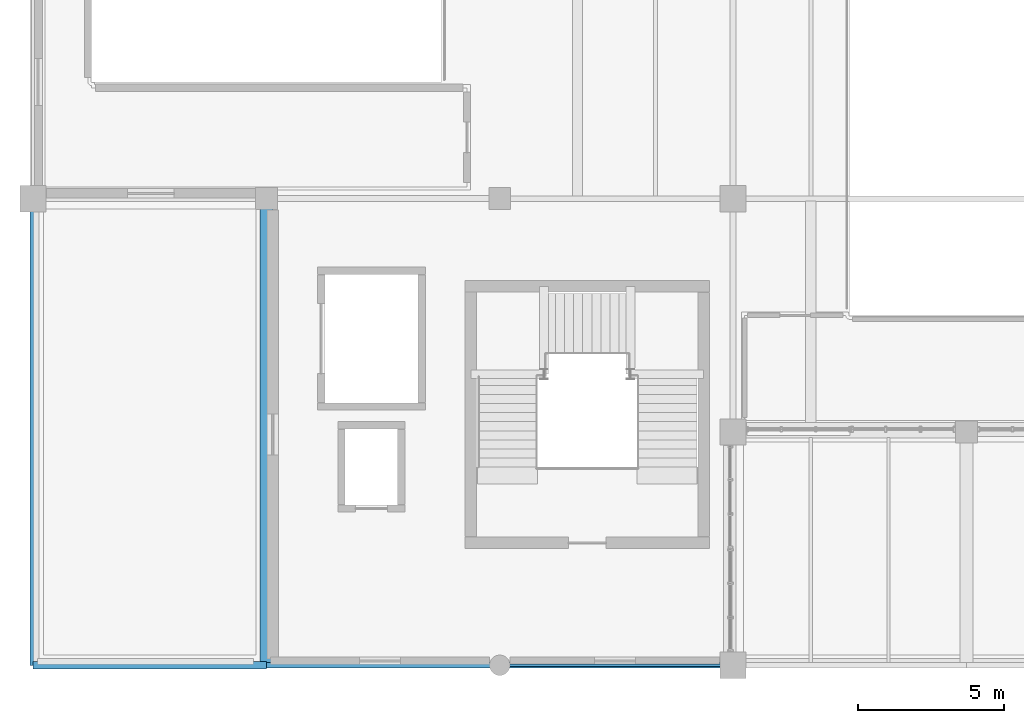
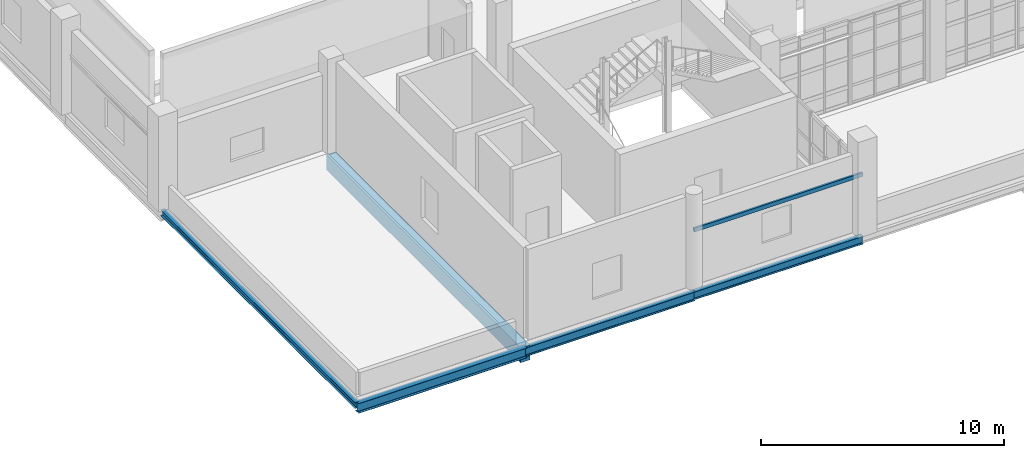
# One storey, part 12 of 102: 6 beams.
"""IFC4 building model written with IfcOpenShell, lengths in metres."""

from ifc_helpers import new_model, si_unit, derived_unit, direction, frame, origin, origin_2d, place, context, subcontext, project, spatial, rectangle, hollow_rectangle, i_section, extrude, material, material_profile, profile_set, type_object, element, save


model = new_model("IFC4")

# Units and contexts
model_context = context("Model", 3, precision=1e-05, world=origin(), true_north=direction((0.0, 1.0)))
body_context = subcontext(model_context, "Body", "Model", "MODEL_VIEW")
ifc_project = project(units=[si_unit("LENGTHUNIT", "METRE"), si_unit("AREAUNIT", "SQUARE_METRE"), si_unit("VOLUMEUNIT", "CUBIC_METRE"), si_unit("PLANEANGLEUNIT", "RADIAN"), si_unit("MASSUNIT", "GRAM", prefix="KILO"), derived_unit("THERMALTRANSMITTANCEUNIT", [(si_unit("POWERUNIT", "WATT"), 1), (si_unit("LENGTHUNIT", "METRE"), -2), (si_unit("THERMODYNAMICTEMPERATUREUNIT", "KELVIN"), -1)])], contexts=[model_context])

# Site, building, storey
site_placement = place(None, origin())
site = spatial("IfcSite", under=ifc_project, at=site_placement, CompositionType="ELEMENT")
building_placement = place(site_placement, origin())
building = spatial("IfcBuilding", under=site, at=building_placement, Name="Nallur Shell Playhouse", CompositionType="ELEMENT")
storey_placement = place(building_placement, frame((0.0, 0.0, 15.0)))
storey = spatial("IfcBuildingStorey", under=building, at=storey_placement, Name="L04", CompositionType="ELEMENT", Elevation=15.0)

# Beams
ifc_material_1 = material(Name="Steel E250", Category="steel")
ifc_material_profile_1 = material_profile(ifc_material_1, hollow_rectangle(XDim=0.10009765625, YDim=0.199951171875, WallThickness=0.008056640625, at=origin_2d()), Name="RHS 200x100x8")
ifc_profile_set_1 = profile_set([ifc_material_profile_1], Name="Steel E250")
beam_type_1 = type_object("IfcBeamType", Name="BM-LIN-RHS200", PredefinedType="LINTEL", material=ifc_profile_set_1)
beam_1_placement = place(storey_placement, frame((32.0, 8.0, 2.800048828125), z_axis=(1.0, 0.0, 0.0), x_axis=(0.0, 1.0, 0.0)))
element("IfcBeam", 1, at=beam_1_placement, inside=storey, type_object=beam_type_1, Name="L04 colonnade portal lintel 012", PredefinedType="LINTEL", context=body_context, shape_type="SweptSolid", body=[
    extrude(hollow_rectangle(XDim=0.10009765625, YDim=0.199951171875, WallThickness=0.008056640625, at=origin_2d()), origin(), (0.0, 0.0, 1.0), 8.0),
])
ifc_material_2 = material(Name="Concrete M35", Category="concrete")
ifc_material_profile_2 = material_profile(ifc_material_2, rectangle(XDim=0.449951171875, YDim=0.75, at=origin_2d()), Name="RC 450x750")
ifc_profile_set_2 = profile_set([ifc_material_profile_2], Name="Concrete M35")
beam_type_2 = type_object("IfcBeamType", Name="BM-RC-450x750", PredefinedType="BEAM", material=ifc_profile_set_2)
beam_2_placement = place(storey_placement, frame((24.0, 8.0, -0.635009765625), z_axis=(0.0, 1.0, 0.0), x_axis=(-1.0, 0.0, 0.0)))
element("IfcBeam", 2, at=beam_2_placement, inside=storey, type_object=beam_type_2, Name="L04 girder Y-3-814", PredefinedType="BEAM", context=body_context, shape_type="SweptSolid", body=[
    extrude(rectangle(XDim=0.449951171875, YDim=0.75, at=origin_2d()), origin(), (0.0, 0.0, 1.0), 16.0),
])
ifc_material_profile_3 = material_profile(ifc_material_1, i_section(OverallWidth=0.199951171875, OverallDepth=0.300048828125, WebThickness=0.00732421875, FlangeThickness=0.010009765625, FilletRadius=0.010986328125, at=origin_2d()), Name="ISWB 300")
ifc_profile_set_3 = profile_set([ifc_material_profile_3], Name="Steel E250")
beam_type_3 = type_object("IfcBeamType", Name="BM-ST-ISWB300", PredefinedType="BEAM", material=ifc_profile_set_3)
beam_3_placement = place(storey_placement, frame((16.0, 8.0, -0.409912109375), z_axis=(0.0, 1.0, 0.0), x_axis=(-1.0, 0.0, 0.0)))
element("IfcBeam", 3, at=beam_3_placement, inside=storey, type_object=beam_type_3, Name="L04 girder Y-2-807", PredefinedType="BEAM", context=body_context, shape_type="SweptSolid", body=[
    extrude(i_section(OverallWidth=0.199951171875, OverallDepth=0.300048828125, WebThickness=0.00732421875, FlangeThickness=0.010009765625, FilletRadius=0.010986328125, at=origin_2d()), origin(), (0.0, 0.0, 1.0), 16.0),
])
ifc_material_3 = material(Name="Steel E350", Category="steel")
ifc_material_profile_4 = material_profile(ifc_material_3, i_section(OverallWidth=0.199951171875, OverallDepth=0.39990234375, WebThickness=0.008544921875, FlangeThickness=0.012939453125, FilletRadius=0.012939453125, at=origin_2d()), Name="ISWB 400")
ifc_profile_set_4 = profile_set([ifc_material_profile_4], Name="Steel E350")
beam_type_4 = type_object("IfcBeamType", Name="BM-ST-ISWB400", PredefinedType="BEAM", material=ifc_profile_set_4)
beam_4_placement = place(storey_placement, frame((32.0, 8.0, -0.4599609375), z_axis=(1.0, 0.0, 0.0), x_axis=(0.0, 1.0, 0.0)))
element("IfcBeam", 4, at=beam_4_placement, inside=storey, type_object=beam_type_4, Name="L04 girder X-A-741", PredefinedType="BEAM", context=body_context, shape_type="SweptSolid", body=[
    extrude(i_section(OverallWidth=0.199951171875, OverallDepth=0.39990234375, WebThickness=0.008544921875, FlangeThickness=0.012939453125, FilletRadius=0.012939453125, at=origin_2d()), origin(), (0.0, 0.0, 1.0), 8.0),
])
ifc_material_profile_5 = material_profile(ifc_material_3, i_section(OverallWidth=0.199951171875, OverallDepth=0.449951171875, WebThickness=0.00927734375, FlangeThickness=0.015380859375, FilletRadius=0.013916015625, at=origin_2d()), Name="ISWB 450")
ifc_profile_set_5 = profile_set([ifc_material_profile_5], Name="Steel E350")
beam_type_5 = type_object("IfcBeamType", Name="BM-ST-ISWB450", PredefinedType="BEAM", material=ifc_profile_set_5)
beam_5_placement = place(storey_placement, frame((24.0, 8.0, -0.485107421875), z_axis=(1.0, 0.0, 0.0), x_axis=(0.0, 1.0, 0.0)))
element("IfcBeam", 5, at=beam_5_placement, inside=storey, type_object=beam_type_5, Name="L04 girder X-A-740", PredefinedType="BEAM", context=body_context, shape_type="SweptSolid", body=[
    extrude(i_section(OverallWidth=0.199951171875, OverallDepth=0.449951171875, WebThickness=0.00927734375, FlangeThickness=0.015380859375, FilletRadius=0.013916015625, at=origin_2d()), origin(), (0.0, 0.0, 1.0), 8.0),
])
ifc_material_profile_6 = material_profile(ifc_material_3, i_section(OverallWidth=0.25, OverallDepth=0.5, WebThickness=0.010009765625, FlangeThickness=0.0146484375, FilletRadius=0.014892578125, at=origin_2d()), Name="ISWB 500")
ifc_profile_set_6 = profile_set([ifc_material_profile_6], Name="Steel E350")
beam_type_6 = type_object("IfcBeamType", Name="BM-ST-ISWB500", PredefinedType="BEAM", material=ifc_profile_set_6)
beam_6_placement = place(storey_placement, frame((16.0, 8.0, -0.510009765625), z_axis=(1.0, 0.0, 0.0), x_axis=(0.0, 1.0, 0.0)))
element("IfcBeam", 6, at=beam_6_placement, inside=storey, type_object=beam_type_6, Name="L04 girder X-A-739", PredefinedType="BEAM", context=body_context, shape_type="SweptSolid", body=[
    extrude(i_section(OverallWidth=0.25, OverallDepth=0.5, WebThickness=0.010009765625, FlangeThickness=0.0146484375, FilletRadius=0.014892578125, at=origin_2d()), origin(), (0.0, 0.0, 1.0), 8.0),
])

save(model, "model.ifc")
